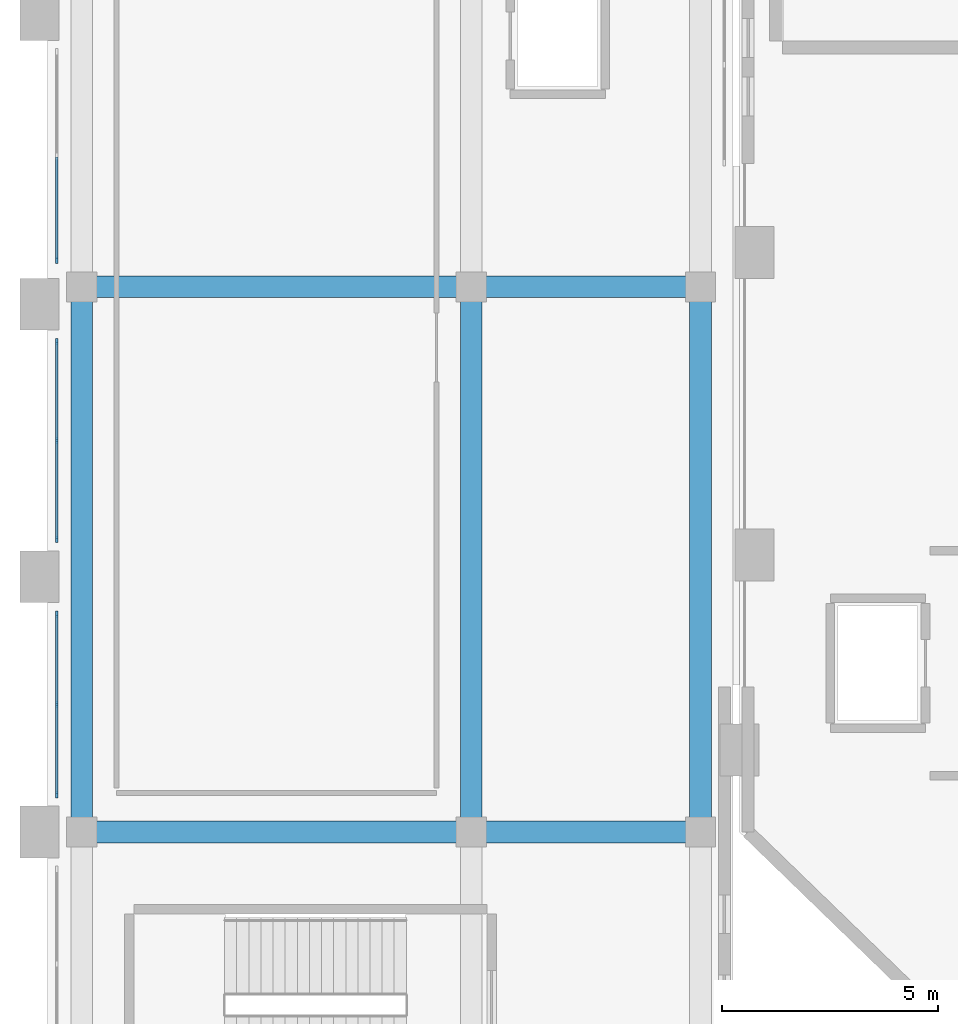
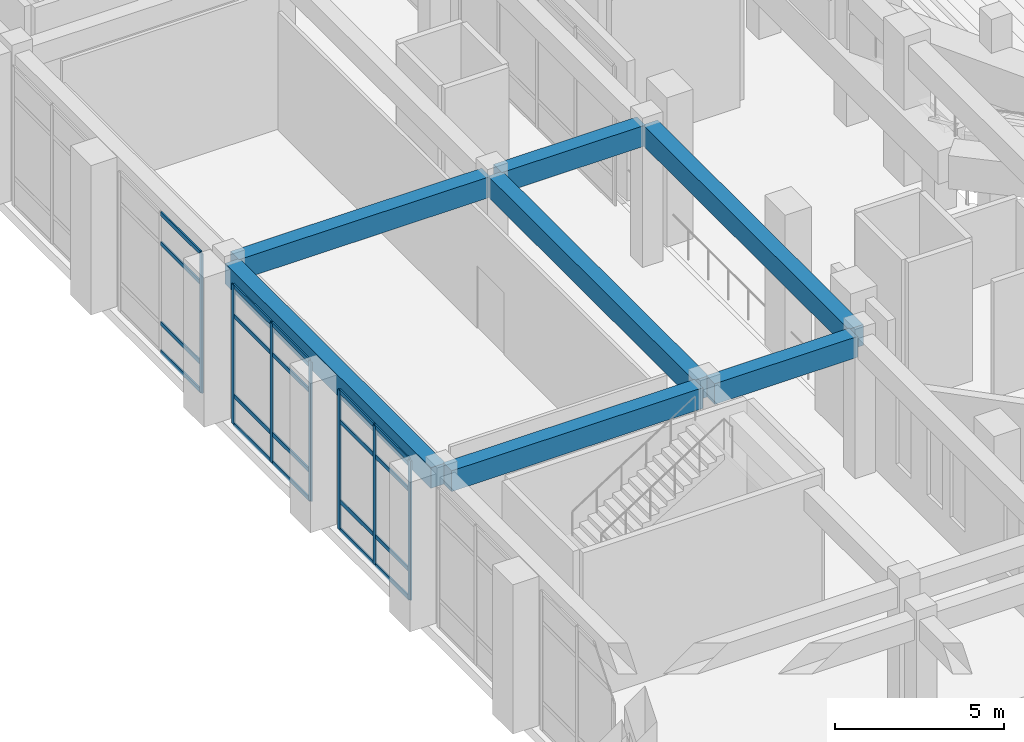
# One storey, part 26 of 159: 27 members, 7 beams, 3 elements without a shape of their own.
"""IFC4 building model written with IfcOpenShell, lengths in metres."""

from ifc_helpers import new_model, si_unit, derived_unit, direction, frame, origin, origin_2d, place, context, subcontext, project, spatial, rectangle, extrude, material, layer, layer_set, material_profile, profile_set, type_object, element, aggregate, save


model = new_model("IFC4")

# Units and contexts
model_context = context("Model", 3, precision=1e-05, world=origin(), true_north=direction((0.0, 1.0)))
body_context = subcontext(model_context, "Body", "Model", "MODEL_VIEW")
ifc_project = project(units=[si_unit("LENGTHUNIT", "METRE"), si_unit("AREAUNIT", "SQUARE_METRE"), si_unit("VOLUMEUNIT", "CUBIC_METRE"), si_unit("PLANEANGLEUNIT", "RADIAN"), si_unit("MASSUNIT", "GRAM", prefix="KILO"), derived_unit("THERMALTRANSMITTANCEUNIT", [(si_unit("MASSUNIT", "GRAM", prefix="KILO"), 1), (si_unit("TIMEUNIT", "SECOND"), -3), (si_unit("THERMODYNAMICTEMPERATUREUNIT", "KELVIN"), -1)])], contexts=[model_context])

# Site, building, storey
site_placement = place(None, origin())
site = spatial("IfcSite", under=ifc_project, at=site_placement, CompositionType="ELEMENT")
building_placement = place(site_placement, origin())
building = spatial("IfcBuilding", under=site, at=building_placement, Name="Valcora Ridge Arena", CompositionType="ELEMENT")
storey_placement = place(building_placement, frame((0.0, 0.0, 6.0)))
storey = spatial("IfcBuildingStorey", under=building, at=storey_placement, Name="L01", CompositionType="ELEMENT", Elevation=6.0)

# Beams
ifc_material_1 = material(Name="Concrete C40/50", Category="concrete")
ifc_material_profile_1 = material_profile(ifc_material_1, rectangle(XDim=0.5, YDim=0.75, at=origin_2d()), Name="RC 500x750")
ifc_profile_set_1 = profile_set([ifc_material_profile_1], Name="Concrete C40/50")
beam_type_1 = type_object("IfcBeamType", Name="TY-BEAM-B-RC500-X", PredefinedType="BEAM", material=ifc_profile_set_1)
beam_1_placement = place(storey_placement, frame((1.0, 32.60009765625, 4.6650390625), z_axis=(1.0, 0.0, 0.0), x_axis=(0.0, 1.0, 0.0)))
element("IfcBeam", 1, at=beam_1_placement, inside=storey, type_object=beam_type_1, Name="B-RC500-X BEM-B-RC500-X-0043", PredefinedType="BEAM", context=body_context, shape_type="SweptSolid", body=[
    extrude(rectangle(XDim=0.5, YDim=0.75, at=origin_2d()), origin(), (0.0, 0.0, 1.0), 8.60009765625),
])
beam_2_placement = place(storey_placement, frame((10.0, 32.60009765625, 4.6650390625), z_axis=(1.0, 0.0, 0.0), x_axis=(0.0, 1.0, 0.0)))
element("IfcBeam", 2, at=beam_2_placement, inside=storey, type_object=beam_type_1, Name="B-RC500-X BEM-B-RC500-X-0044", PredefinedType="BEAM", context=body_context, shape_type="SweptSolid", body=[
    extrude(rectangle(XDim=0.5, YDim=0.75, at=origin_2d()), origin(), (0.0, 0.0, 1.0), 4.89990234375),
])
beam_3_placement = place(storey_placement, frame((1.0, 45.199951171875, 4.6650390625), z_axis=(1.0, 0.0, 0.0), x_axis=(0.0, 1.0, 0.0)))
element("IfcBeam", 3, at=beam_3_placement, inside=storey, type_object=beam_type_1, Name="B-RC500-X BEM-B-RC500-X-0045", PredefinedType="BEAM", context=body_context, shape_type="SweptSolid", body=[
    extrude(rectangle(XDim=0.5, YDim=0.75, at=origin_2d()), origin(), (0.0, 0.0, 1.0), 8.60009765625),
])
beam_4_placement = place(storey_placement, frame((10.0, 45.199951171875, 4.6650390625), z_axis=(1.0, 0.0, 0.0), x_axis=(0.0, 1.0, 0.0)))
element("IfcBeam", 4, at=beam_4_placement, inside=storey, type_object=beam_type_1, Name="B-RC500-X BEM-B-RC500-X-0046", PredefinedType="BEAM", context=body_context, shape_type="SweptSolid", body=[
    extrude(rectangle(XDim=0.5, YDim=0.75, at=origin_2d()), origin(), (0.0, 0.0, 1.0), 4.89990234375),
])
ifc_material_profile_2 = material_profile(ifc_material_1, rectangle(XDim=0.5, YDim=0.75, at=origin_2d()), Name="RC 500x750")
ifc_profile_set_2 = profile_set([ifc_material_profile_2], Name="Concrete C40/50")
beam_type_2 = type_object("IfcBeamType", Name="TY-BEAM-B-RC500-Y", PredefinedType="BEAM", material=ifc_profile_set_2)
for number, where, z_axis, x_axis, name in (
    (5, (0.800048828125, 32.800048828125, 4.6650390625), (0.0, 1.0, 0.0), (-1.0, 0.0, 0.0), "B-RC500-Y BEM-B-RC500-Y-0037"),
    (6, (9.800048828125, 32.800048828125, 4.6650390625), (0.0, 1.0, 0.0), (-1.0, 0.0, 0.0), "B-RC500-Y BEM-B-RC500-Y-0045"),
    (7, (15.10009765625, 32.800048828125, 4.6650390625), (0.0, 1.0, 0.0), (-1.0, 0.0, 0.0), "B-RC500-Y BEM-B-RC500-Y-0052"),
):
    element("IfcBeam", number, at=place(storey_placement, frame(where, z_axis=z_axis, x_axis=x_axis)), inside=storey, type_object=beam_type_2, Name=name, PredefinedType="BEAM", context=body_context, shape_type="SweptSolid", body=[
        extrude(rectangle(XDim=0.5, YDim=0.75, at=origin_2d()), origin(), (0.0, 0.0, 1.0), 12.199951171875),
    ])

# Curtain wall, members
ifc_material_2 = material(Name="Anodised dark bronze architectural aluminium 6063-T6", Category="aluminium")
ifc_layer_1 = layer(ifc_material_2, 0.14990234375, Name="Anodised dark bronze architectural aluminium 6063-T6")
ifc_layer_set_1 = layer_set([ifc_layer_1], Name="Anodised dark bronze architectural aluminium 6063-T6")
curtain_wall_type_1 = type_object("IfcCurtainWallType", Name="TY-CURTAINWALL-CW-V4-CLUB-042X50", PredefinedType="NOTDEFINED", material=ifc_layer_set_1)
curtain_wall_1_placement = place(storey_placement, origin())
curtain_wall_1 = element("IfcCurtainWall", 8, at=curtain_wall_1_placement, inside=storey, type_object=curtain_wall_type_1, Name="CW-V4-CLUB-042X50 CW-0224", PredefinedType="NOTDEFINED")
ifc_material_profile_3 = material_profile(ifc_material_2, rectangle(XDim=0.050048828125, YDim=0.14990234375, at=origin_2d()), Name="ALU MULLION 50x150")
ifc_profile_set_3 = profile_set([ifc_material_profile_3], Name="Anodised dark bronze architectural aluminium 6063-T6")
member_type_1 = type_object("IfcMemberType", Name="TY-MEM-CWM-50x150", PredefinedType="MULLION", material=ifc_profile_set_3)
member_1_placement = place(storey_placement, frame((0.219970703125, 33.465087890625, 0.0), z_axis=(0.0, 0.0, 1.0), x_axis=(-1.0, 0.0, 0.0)))
member_1 = element("IfcMember", 9, at=member_1_placement, type_object=member_type_1, Name="CW-0224/CWM-50x150/M00", PredefinedType="MULLION", context=body_context, shape_type="SweptSolid", body=[
    extrude(rectangle(XDim=0.050048828125, YDim=0.14990234375, at=origin_2d()), origin(), (0.0, 0.0, 1.0), 5.0400390625),
])
member_2_placement = place(storey_placement, frame((0.219970703125, 35.550048828125, 0.0), z_axis=(0.0, 0.0, 1.0), x_axis=(-1.0, 0.0, 0.0)))
member_2 = element("IfcMember", 10, at=member_2_placement, type_object=member_type_1, Name="CW-0224/CWM-50x150/M01", PredefinedType="MULLION", context=body_context, shape_type="SweptSolid", body=[
    extrude(rectangle(XDim=0.050048828125, YDim=0.14990234375, at=origin_2d()), origin(), (0.0, 0.0, 1.0), 5.0400390625),
])
member_3_placement = place(storey_placement, frame((0.219970703125, 37.635009765625, 0.0), z_axis=(0.0, 0.0, 1.0), x_axis=(-1.0, 0.0, 0.0)))
member_3 = element("IfcMember", 11, at=member_3_placement, type_object=member_type_1, Name="CW-0224/CWM-50x150/M02", PredefinedType="MULLION", context=body_context, shape_type="SweptSolid", body=[
    extrude(rectangle(XDim=0.050048828125, YDim=0.14990234375, at=origin_2d()), origin(), (0.0, 0.0, 1.0), 5.0400390625),
])

ifc_layer_2 = layer(ifc_material_2, 0.14990234375, Name="Anodised dark bronze architectural aluminium 6063-T6")
ifc_layer_set_2 = layer_set([ifc_layer_2], Name="Anodised dark bronze architectural aluminium 6063-T6")
curtain_wall_type_2 = type_object("IfcCurtainWallType", Name="TY-CURTAINWALL-CW-V4-CLUB-046X50", PredefinedType="NOTDEFINED", material=ifc_layer_set_2)
curtain_wall_2_placement = place(storey_placement, origin())
curtain_wall_2 = element("IfcCurtainWall", 12, at=curtain_wall_2_placement, inside=storey, type_object=curtain_wall_type_2, Name="CW-V4-CLUB-046X50 CW-0225", PredefinedType="NOTDEFINED")
member_4_placement = place(storey_placement, frame((0.219970703125, 39.364990234375, 0.0), z_axis=(0.0, 0.0, 1.0), x_axis=(-1.0, 0.0, 0.0)))
member_4 = element("IfcMember", 13, at=member_4_placement, type_object=member_type_1, Name="CW-0225/CWM-50x150/M00", PredefinedType="MULLION", context=body_context, shape_type="SweptSolid", body=[
    extrude(rectangle(XDim=0.050048828125, YDim=0.14990234375, at=origin_2d()), origin(), (0.0, 0.0, 1.0), 5.0400390625),
])
member_5_placement = place(storey_placement, frame((0.219970703125, 41.64990234375, 0.0), z_axis=(0.0, 0.0, 1.0), x_axis=(-1.0, 0.0, 0.0)))
member_5 = element("IfcMember", 14, at=member_5_placement, type_object=member_type_1, Name="CW-0225/CWM-50x150/M01", PredefinedType="MULLION", context=body_context, shape_type="SweptSolid", body=[
    extrude(rectangle(XDim=0.050048828125, YDim=0.14990234375, at=origin_2d()), origin(), (0.0, 0.0, 1.0), 5.0400390625),
])
member_6_placement = place(storey_placement, frame((0.219970703125, 43.93505859375, 0.0), z_axis=(0.0, 0.0, 1.0), x_axis=(-1.0, 0.0, 0.0)))
member_6 = element("IfcMember", 15, at=member_6_placement, type_object=member_type_1, Name="CW-0225/CWM-50x150/M02", PredefinedType="MULLION", context=body_context, shape_type="SweptSolid", body=[
    extrude(rectangle(XDim=0.050048828125, YDim=0.14990234375, at=origin_2d()), origin(), (0.0, 0.0, 1.0), 5.0400390625),
])

# Curtain wall, member
ifc_layer_3 = layer(ifc_material_2, 0.14990234375, Name="Anodised dark bronze architectural aluminium 6063-T6")
ifc_layer_set_3 = layer_set([ifc_layer_3], Name="Anodised dark bronze architectural aluminium 6063-T6")
curtain_wall_type_3 = type_object("IfcCurtainWallType", Name="TY-CURTAINWALL-CW-V4-CLUB-049X50", PredefinedType="NOTDEFINED", material=ifc_layer_set_3)
curtain_wall_3_placement = place(storey_placement, origin())
curtain_wall_3 = element("IfcCurtainWall", 16, at=curtain_wall_3_placement, inside=storey, type_object=curtain_wall_type_3, Name="CW-V4-CLUB-049X50 CW-0226", PredefinedType="NOTDEFINED")
member_7_placement = place(storey_placement, frame((0.219970703125, 45.81494140625, 0.0), z_axis=(0.0, 0.0, 1.0), x_axis=(-1.0, 0.0, 0.0)))
member_7 = element("IfcMember", 17, at=member_7_placement, type_object=member_type_1, Name="CW-0226/CWM-50x150/M00", PredefinedType="MULLION", context=body_context, shape_type="SweptSolid", body=[
    extrude(rectangle(XDim=0.050048828125, YDim=0.14990234375, at=origin_2d()), origin(), (0.0, 0.0, 1.0), 5.0400390625),
])

# Member
ifc_material_profile_4 = material_profile(ifc_material_2, rectangle(XDim=0.050048828125, YDim=0.14990234375, at=origin_2d()), Name="ALU TRANSOM 50x150")
ifc_profile_set_4 = profile_set([ifc_material_profile_4], Name="Anodised dark bronze architectural aluminium 6063-T6")
member_type_2 = type_object("IfcMemberType", Name="TY-MEM-CWT-50x150", PredefinedType="USERDEFINED", material=ifc_profile_set_4)
member_8_placement = place(storey_placement, frame((0.219970703125, 33.489990234375, 0.02490234375), z_axis=(0.0, 1.0, 0.0), x_axis=(-1.0, 0.0, 0.0)))
member_8 = element("IfcMember", 18, at=member_8_placement, type_object=member_type_2, Name="CW-0224/CWT-50x150/T00-00", ObjectType="TRANSOM", PredefinedType="USERDEFINED", context=body_context, shape_type="SweptSolid", body=[
    extrude(rectangle(XDim=0.050048828125, YDim=0.14990234375, at=origin_2d()), origin(), (0.0, 0.0, 1.0), 2.034912109375),
])

member_9_placement = place(storey_placement, frame((0.219970703125, 33.489990234375, 1.050048828125), z_axis=(0.0, 1.0, 0.0), x_axis=(-1.0, 0.0, 0.0)))
member_9 = element("IfcMember", 19, at=member_9_placement, type_object=member_type_2, Name="CW-0224/CWT-50x150/T00-01", ObjectType="TRANSOM", PredefinedType="USERDEFINED", context=body_context, shape_type="SweptSolid", body=[
    extrude(rectangle(XDim=0.050048828125, YDim=0.14990234375, at=origin_2d()), origin(), (0.0, 0.0, 1.0), 2.034912109375),
])

member_10_placement = place(storey_placement, frame((0.219970703125, 33.489990234375, 3.93994140625), z_axis=(0.0, 1.0, 0.0), x_axis=(-1.0, 0.0, 0.0)))
member_10 = element("IfcMember", 20, at=member_10_placement, type_object=member_type_2, Name="CW-0224/CWT-50x150/T00-02", ObjectType="TRANSOM", PredefinedType="USERDEFINED", context=body_context, shape_type="SweptSolid", body=[
    extrude(rectangle(XDim=0.050048828125, YDim=0.14990234375, at=origin_2d()), origin(), (0.0, 0.0, 1.0), 2.034912109375),
])

member_11_placement = place(storey_placement, frame((0.219970703125, 33.489990234375, 5.014892578125), z_axis=(0.0, 1.0, 0.0), x_axis=(-1.0, 0.0, 0.0)))
member_11 = element("IfcMember", 21, at=member_11_placement, type_object=member_type_2, Name="CW-0224/CWT-50x150/T00-03", ObjectType="TRANSOM", PredefinedType="USERDEFINED", context=body_context, shape_type="SweptSolid", body=[
    extrude(rectangle(XDim=0.050048828125, YDim=0.14990234375, at=origin_2d()), origin(), (0.0, 0.0, 1.0), 2.034912109375),
])

member_12_placement = place(storey_placement, frame((0.219970703125, 35.574951171875, 0.02490234375), z_axis=(0.0, 1.0, 0.0), x_axis=(-1.0, 0.0, 0.0)))
member_12 = element("IfcMember", 22, at=member_12_placement, type_object=member_type_2, Name="CW-0224/CWT-50x150/T01-00", ObjectType="TRANSOM", PredefinedType="USERDEFINED", context=body_context, shape_type="SweptSolid", body=[
    extrude(rectangle(XDim=0.050048828125, YDim=0.14990234375, at=origin_2d()), origin(), (0.0, 0.0, 1.0), 2.03515625),
])

member_13_placement = place(storey_placement, frame((0.219970703125, 35.574951171875, 1.050048828125), z_axis=(0.0, 1.0, 0.0), x_axis=(-1.0, 0.0, 0.0)))
member_13 = element("IfcMember", 23, at=member_13_placement, type_object=member_type_2, Name="CW-0224/CWT-50x150/T01-01", ObjectType="TRANSOM", PredefinedType="USERDEFINED", context=body_context, shape_type="SweptSolid", body=[
    extrude(rectangle(XDim=0.050048828125, YDim=0.14990234375, at=origin_2d()), origin(), (0.0, 0.0, 1.0), 2.03515625),
])

member_14_placement = place(storey_placement, frame((0.219970703125, 35.574951171875, 3.93994140625), z_axis=(0.0, 1.0, 0.0), x_axis=(-1.0, 0.0, 0.0)))
member_14 = element("IfcMember", 24, at=member_14_placement, type_object=member_type_2, Name="CW-0224/CWT-50x150/T01-02", ObjectType="TRANSOM", PredefinedType="USERDEFINED", context=body_context, shape_type="SweptSolid", body=[
    extrude(rectangle(XDim=0.050048828125, YDim=0.14990234375, at=origin_2d()), origin(), (0.0, 0.0, 1.0), 2.03515625),
])

member_15_placement = place(storey_placement, frame((0.219970703125, 35.574951171875, 5.014892578125), z_axis=(0.0, 1.0, 0.0), x_axis=(-1.0, 0.0, 0.0)))
member_15 = element("IfcMember", 25, at=member_15_placement, type_object=member_type_2, Name="CW-0224/CWT-50x150/T01-03", ObjectType="TRANSOM", PredefinedType="USERDEFINED", context=body_context, shape_type="SweptSolid", body=[
    extrude(rectangle(XDim=0.050048828125, YDim=0.14990234375, at=origin_2d()), origin(), (0.0, 0.0, 1.0), 2.03515625),
])

aggregate(curtain_wall_1, [member_1, member_2, member_3, member_8, member_9, member_10, member_11, member_12, member_13, member_14, member_15])

member_16_placement = place(storey_placement, frame((0.219970703125, 39.389892578125, 0.02490234375), z_axis=(0.0, 1.0, 0.0), x_axis=(-1.0, 0.0, 0.0)))
member_16 = element("IfcMember", 26, at=member_16_placement, type_object=member_type_2, Name="CW-0225/CWT-50x150/T00-00", ObjectType="TRANSOM", PredefinedType="USERDEFINED", context=body_context, shape_type="SweptSolid", body=[
    extrude(rectangle(XDim=0.050048828125, YDim=0.14990234375, at=origin_2d()), origin(), (0.0, 0.0, 1.0), 2.235107421875),
])

member_17_placement = place(storey_placement, frame((0.219970703125, 39.389892578125, 1.050048828125), z_axis=(0.0, 1.0, 0.0), x_axis=(-1.0, 0.0, 0.0)))
member_17 = element("IfcMember", 27, at=member_17_placement, type_object=member_type_2, Name="CW-0225/CWT-50x150/T00-01", ObjectType="TRANSOM", PredefinedType="USERDEFINED", context=body_context, shape_type="SweptSolid", body=[
    extrude(rectangle(XDim=0.050048828125, YDim=0.14990234375, at=origin_2d()), origin(), (0.0, 0.0, 1.0), 2.235107421875),
])

member_18_placement = place(storey_placement, frame((0.219970703125, 39.389892578125, 3.93994140625), z_axis=(0.0, 1.0, 0.0), x_axis=(-1.0, 0.0, 0.0)))
member_18 = element("IfcMember", 28, at=member_18_placement, type_object=member_type_2, Name="CW-0225/CWT-50x150/T00-02", ObjectType="TRANSOM", PredefinedType="USERDEFINED", context=body_context, shape_type="SweptSolid", body=[
    extrude(rectangle(XDim=0.050048828125, YDim=0.14990234375, at=origin_2d()), origin(), (0.0, 0.0, 1.0), 2.235107421875),
])

member_19_placement = place(storey_placement, frame((0.219970703125, 39.389892578125, 5.014892578125), z_axis=(0.0, 1.0, 0.0), x_axis=(-1.0, 0.0, 0.0)))
member_19 = element("IfcMember", 29, at=member_19_placement, type_object=member_type_2, Name="CW-0225/CWT-50x150/T00-03", ObjectType="TRANSOM", PredefinedType="USERDEFINED", context=body_context, shape_type="SweptSolid", body=[
    extrude(rectangle(XDim=0.050048828125, YDim=0.14990234375, at=origin_2d()), origin(), (0.0, 0.0, 1.0), 2.235107421875),
])

member_20_placement = place(storey_placement, frame((0.219970703125, 41.675048828125, 0.02490234375), z_axis=(0.0, 1.0, 0.0), x_axis=(-1.0, 0.0, 0.0)))
member_20 = element("IfcMember", 30, at=member_20_placement, type_object=member_type_2, Name="CW-0225/CWT-50x150/T01-00", ObjectType="TRANSOM", PredefinedType="USERDEFINED", context=body_context, shape_type="SweptSolid", body=[
    extrude(rectangle(XDim=0.050048828125, YDim=0.14990234375, at=origin_2d()), origin(), (0.0, 0.0, 1.0), 2.23486328125),
])

member_21_placement = place(storey_placement, frame((0.219970703125, 41.675048828125, 1.050048828125), z_axis=(0.0, 1.0, 0.0), x_axis=(-1.0, 0.0, 0.0)))
member_21 = element("IfcMember", 31, at=member_21_placement, type_object=member_type_2, Name="CW-0225/CWT-50x150/T01-01", ObjectType="TRANSOM", PredefinedType="USERDEFINED", context=body_context, shape_type="SweptSolid", body=[
    extrude(rectangle(XDim=0.050048828125, YDim=0.14990234375, at=origin_2d()), origin(), (0.0, 0.0, 1.0), 2.23486328125),
])

member_22_placement = place(storey_placement, frame((0.219970703125, 41.675048828125, 3.93994140625), z_axis=(0.0, 1.0, 0.0), x_axis=(-1.0, 0.0, 0.0)))
member_22 = element("IfcMember", 32, at=member_22_placement, type_object=member_type_2, Name="CW-0225/CWT-50x150/T01-02", ObjectType="TRANSOM", PredefinedType="USERDEFINED", context=body_context, shape_type="SweptSolid", body=[
    extrude(rectangle(XDim=0.050048828125, YDim=0.14990234375, at=origin_2d()), origin(), (0.0, 0.0, 1.0), 2.23486328125),
])

member_23_placement = place(storey_placement, frame((0.219970703125, 41.675048828125, 5.014892578125), z_axis=(0.0, 1.0, 0.0), x_axis=(-1.0, 0.0, 0.0)))
member_23 = element("IfcMember", 33, at=member_23_placement, type_object=member_type_2, Name="CW-0225/CWT-50x150/T01-03", ObjectType="TRANSOM", PredefinedType="USERDEFINED", context=body_context, shape_type="SweptSolid", body=[
    extrude(rectangle(XDim=0.050048828125, YDim=0.14990234375, at=origin_2d()), origin(), (0.0, 0.0, 1.0), 2.23486328125),
])

aggregate(curtain_wall_2, [member_4, member_5, member_6, member_16, member_17, member_18, member_19, member_20, member_21, member_22, member_23])

member_24_placement = place(storey_placement, frame((0.219970703125, 45.840087890625, 0.02490234375), z_axis=(0.0, 1.0, 0.0), x_axis=(-1.0, 0.0, 0.0)))
member_24 = element("IfcMember", 34, at=member_24_placement, type_object=member_type_2, Name="CW-0226/CWT-50x150/T00-00", ObjectType="TRANSOM", PredefinedType="USERDEFINED", context=body_context, shape_type="SweptSolid", body=[
    extrude(rectangle(XDim=0.050048828125, YDim=0.14990234375, at=origin_2d()), origin(), (0.0, 0.0, 1.0), 2.35986328125),
])

member_25_placement = place(storey_placement, frame((0.219970703125, 45.840087890625, 1.050048828125), z_axis=(0.0, 1.0, 0.0), x_axis=(-1.0, 0.0, 0.0)))
member_25 = element("IfcMember", 35, at=member_25_placement, type_object=member_type_2, Name="CW-0226/CWT-50x150/T00-01", ObjectType="TRANSOM", PredefinedType="USERDEFINED", context=body_context, shape_type="SweptSolid", body=[
    extrude(rectangle(XDim=0.050048828125, YDim=0.14990234375, at=origin_2d()), origin(), (0.0, 0.0, 1.0), 2.35986328125),
])

member_26_placement = place(storey_placement, frame((0.219970703125, 45.840087890625, 3.93994140625), z_axis=(0.0, 1.0, 0.0), x_axis=(-1.0, 0.0, 0.0)))
member_26 = element("IfcMember", 36, at=member_26_placement, type_object=member_type_2, Name="CW-0226/CWT-50x150/T00-02", ObjectType="TRANSOM", PredefinedType="USERDEFINED", context=body_context, shape_type="SweptSolid", body=[
    extrude(rectangle(XDim=0.050048828125, YDim=0.14990234375, at=origin_2d()), origin(), (0.0, 0.0, 1.0), 2.35986328125),
])

member_27_placement = place(storey_placement, frame((0.219970703125, 45.840087890625, 5.014892578125), z_axis=(0.0, 1.0, 0.0), x_axis=(-1.0, 0.0, 0.0)))
member_27 = element("IfcMember", 37, at=member_27_placement, type_object=member_type_2, Name="CW-0226/CWT-50x150/T00-03", ObjectType="TRANSOM", PredefinedType="USERDEFINED", context=body_context, shape_type="SweptSolid", body=[
    extrude(rectangle(XDim=0.050048828125, YDim=0.14990234375, at=origin_2d()), origin(), (0.0, 0.0, 1.0), 2.35986328125),
])

aggregate(curtain_wall_3, [member_7, member_24, member_25, member_26, member_27])

save(model, "model.ifc")
